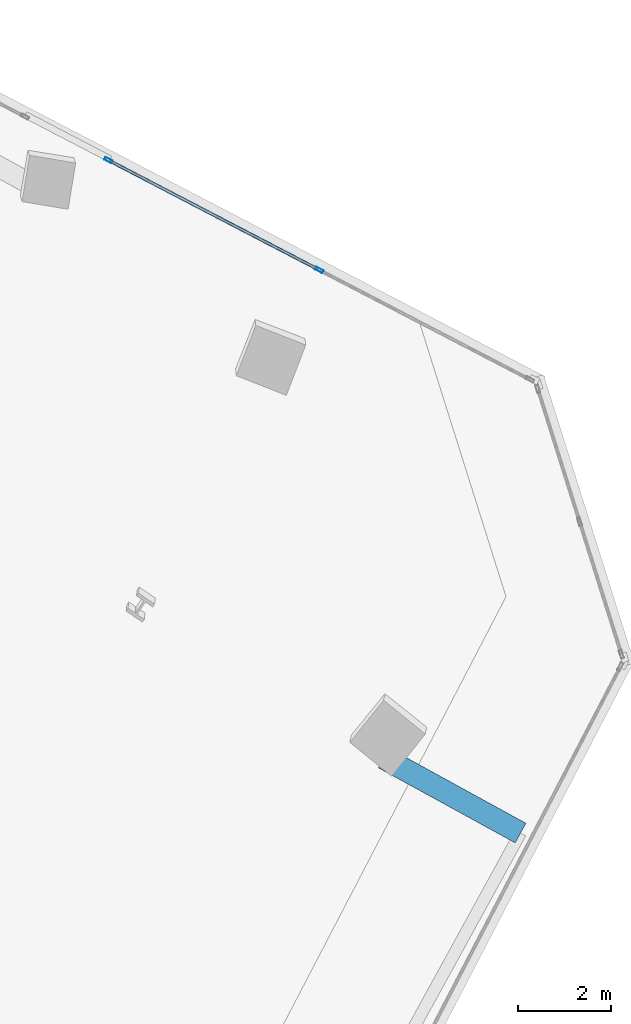
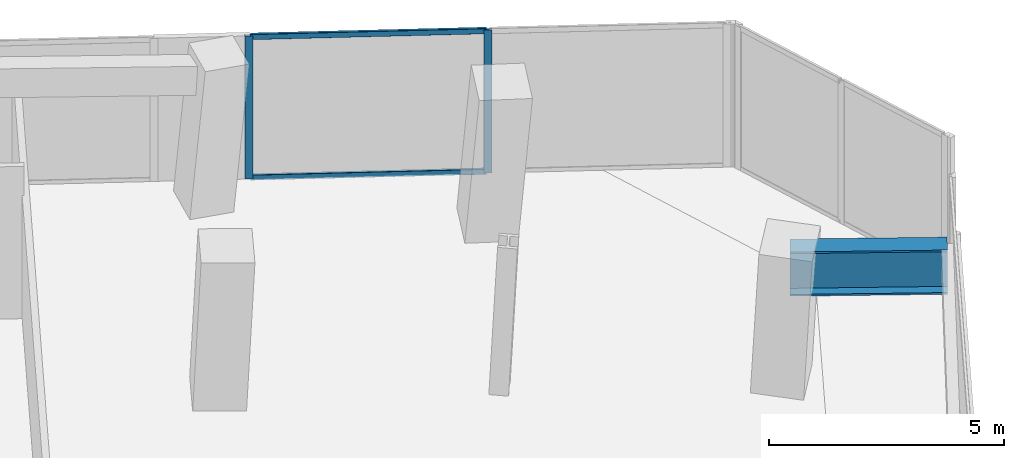
# One storey, part 10 of 22: 4 members, 1 beam, 1 element without a shape of its own.
"""IFC4 building model written with IfcOpenShell, lengths in metres."""

from ifc_helpers import new_model, si_unit, direction, frame, origin, origin_2d, place, context, subcontext, project, spatial, hollow_rectangle, i_section, extrude, source, transform, mapped, material, material_profile, profile_set, type_object, element, aggregate, save


model = new_model("IFC4")

# Units and contexts
model_context = context("Model", 3, precision=1e-05, world=origin(), true_north=direction((0.0, 1.0)))
body_context = subcontext(model_context, "Body", "Model", "MODEL_VIEW")
ifc_project = project(units=[si_unit("LENGTHUNIT", "METRE"), si_unit("AREAUNIT", "SQUARE_METRE"), si_unit("VOLUMEUNIT", "CUBIC_METRE"), si_unit("PLANEANGLEUNIT", "RADIAN"), si_unit("MASSUNIT", "GRAM", prefix="KILO")], contexts=[model_context])

# Site, building, storey
site_placement = place(None, origin())
site = spatial("IfcSite", under=ifc_project, at=site_placement, CompositionType="ELEMENT")
building_placement = place(site_placement, origin())
building = spatial("IfcBuilding", under=site, at=building_placement, Name="Torre Montelarca", CompositionType="ELEMENT")
storey_placement = place(building_placement, frame((0.0, 0.0, 170.800048828125)))
storey = spatial("IfcBuildingStorey", under=building, at=storey_placement, Name="L38", CompositionType="ELEMENT", Elevation=170.800048828125)

# Beam
ifc_material_1 = material(Name="Steel ASTM A572 Grade 50", Category="steel")
ifc_material_profile_1 = material_profile(ifc_material_1, i_section(OverallWidth=0.47998046875, OverallDepth=1.14990234375, WebThickness=0.02197265625, FlangeThickness=0.044921875, at=origin_2d()), Name="PG1150X480X22X45", Category="steel")
ifc_profile_set_1 = profile_set([ifc_material_profile_1], Name="Steel ASTM A572 Grade 50")
beam_type = type_object("IfcBeamType", Name="BM-CG-PG1400-EXT", PredefinedType="USERDEFINED", material=ifc_profile_set_1)
shared_shape_1 = source(origin(), body_context, "Body", "SweptSolid", [
    extrude(i_section(OverallWidth=0.47998046875, OverallDepth=1.14990234375, WebThickness=0.02197265625, FlangeThickness=0.044921875, at=origin_2d()), origin(), (0.0, 0.0, 1.0), 3.35009765625),
])
beam_placement = place(storey_placement, frame((48.581298828125, 26.267578125, 3.385009765625), z_axis=(0.876723190824, -0.480995266786, 0.0), x_axis=(0.480995266786, 0.876723190824, 0.0)))
element("IfcBeam", 1, at=beam_placement, inside=storey, type_object=beam_type, Name="L38 Sliding Tray Cantilever Girder East Y=40m (FLR)", ObjectType="CANTILEVER GIRDER", PredefinedType="USERDEFINED", context=body_context, shape_type="MappedRepresentation", body=[
    mapped(shared_shape_1, transform((0.0, 0.0, 0.0), scale=1.0)),
])

# Curtain wall, members
ifc_material_2 = material(Name="Insulated low-E laminated glass", Category="glass")
curtain_wall_type = type_object("IfcCurtainWallType", Name="CW-SYS-Z2", PredefinedType="USERDEFINED", material=ifc_material_2)
curtain_wall_placement = place(storey_placement, origin())
curtain_wall = element("IfcCurtainWall", 2, at=curtain_wall_placement, inside=storey, type_object=curtain_wall_type, Name="L38 Curtain Wall Run CW-T3-L38-E08-B1", ObjectType="UNITISED GLAZING", PredefinedType="USERDEFINED")
ifc_material_3 = material(Name="Anodised aluminium AA 6063-T6", Category="aluminium")
ifc_material_profile_2 = material_profile(ifc_material_3, hollow_rectangle(XDim=0.06494140625, YDim=0.179931640625, WallThickness=0.00390625, InnerFilletRadius=0.00390625, OuterFilletRadius=0.008056640625, at=origin_2d()), Name="ALU65X180X4", Category="aluminium")
ifc_profile_set_2 = profile_set([ifc_material_profile_2], Name="Anodised aluminium AA 6063-T6")
member_type_1 = type_object("IfcMemberType", Name="CWM-ALU180", PredefinedType="MULLION", material=ifc_profile_set_2)
shared_shape_2 = source(origin(), body_context, "Body", "SweptSolid", [
    extrude(hollow_rectangle(XDim=0.06494140625, YDim=0.179931640625, WallThickness=0.00390625, InnerFilletRadius=0.00390625, OuterFilletRadius=0.008056640625, at=origin_2d()), origin(), (0.0, 0.0, 1.0), 3.719970703125),
])
member_1_placement = place(storey_placement, frame((47.198974609375, 36.739013671875, 0.0), z_axis=(0.0, 0.0, 1.0), x_axis=(-0.461743267935, -0.887013615745, 0.0)))
member_1 = element("IfcMember", 3, at=member_1_placement, type_object=member_type_1, Name="CW mullion 2", PredefinedType="MULLION", context=body_context, shape_type="MappedRepresentation", body=[
    mapped(shared_shape_2, transform((0.0, 0.0, 0.0), scale=1.0)),
])
member_2_placement = place(storey_placement, frame((42.679931640625, 39.09130859375, 0.0), z_axis=(0.0, 0.0, 1.0), x_axis=(-0.461743267935, -0.887013615745, 0.0)))
member_2 = element("IfcMember", 4, at=member_2_placement, type_object=member_type_1, Name="CW mullion 3", PredefinedType="MULLION", context=body_context, shape_type="MappedRepresentation", body=[
    mapped(shared_shape_2, transform((0.0, 0.0, 0.0), scale=1.0)),
])
ifc_material_profile_3 = material_profile(ifc_material_3, hollow_rectangle(XDim=0.06494140625, YDim=0.139892578125, WallThickness=0.00390625, InnerFilletRadius=0.00390625, OuterFilletRadius=0.008056640625, at=origin_2d()), Name="ALU65X140X4", Category="aluminium")
ifc_profile_set_3 = profile_set([ifc_material_profile_3], Name="Anodised aluminium AA 6063-T6")
member_type_2 = type_object("IfcMemberType", Name="CWT-ALU140", PredefinedType="USERDEFINED", material=ifc_profile_set_3)
shared_shape_3 = source(origin(), body_context, "Body", "SweptSolid", [
    extrude(hollow_rectangle(XDim=0.06494140625, YDim=0.139892578125, WallThickness=0.00390625, InnerFilletRadius=0.00390625, OuterFilletRadius=0.008056640625, at=origin_2d()), origin(), (0.0, 0.0, 1.0), 5.02978515625),
])
member_3_placement = place(storey_placement, frame((47.170166015625, 36.75390625, 0.032470703125), z_axis=(-0.887007697634, 0.46175463651, 0.0), x_axis=(-0.46175463651, -0.887007697634, 0.0)))
member_3 = element("IfcMember", 5, at=member_3_placement, type_object=member_type_2, Name="CW transom 2.1", ObjectType="TRANSOM", PredefinedType="USERDEFINED", context=body_context, shape_type="MappedRepresentation", body=[
    mapped(shared_shape_3, transform((0.0, 0.0, 0.0), scale=1.0)),
])
member_4_placement = place(storey_placement, frame((47.170166015625, 36.75390625, 3.6875), z_axis=(-0.887007697634, 0.46175463651, 0.0), x_axis=(-0.46175463651, -0.887007697634, 0.0)))
member_4 = element("IfcMember", 6, at=member_4_placement, type_object=member_type_2, Name="CW transom 2.2", ObjectType="TRANSOM", PredefinedType="USERDEFINED", context=body_context, shape_type="MappedRepresentation", body=[
    mapped(shared_shape_3, transform((0.0, 0.0, 0.0), scale=1.0)),
])
aggregate(curtain_wall, [member_1, member_2, member_3, member_4])

save(model, "model.ifc")
